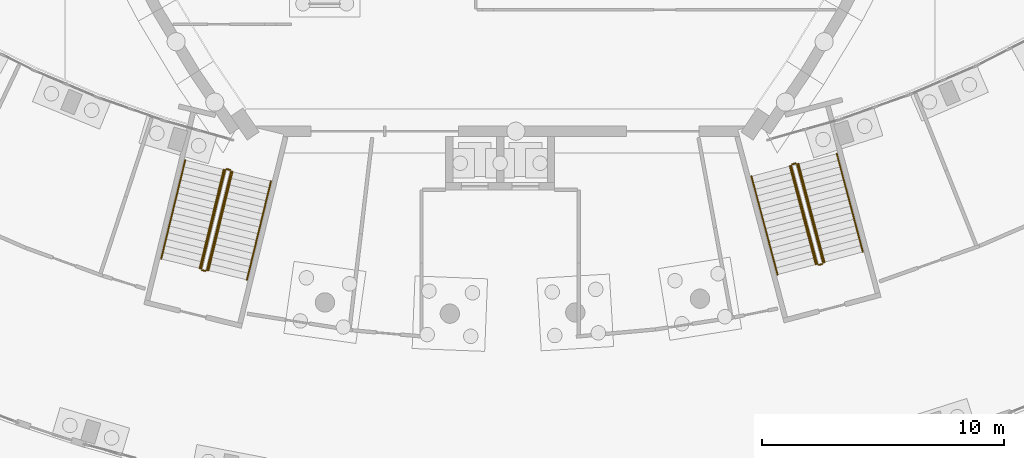
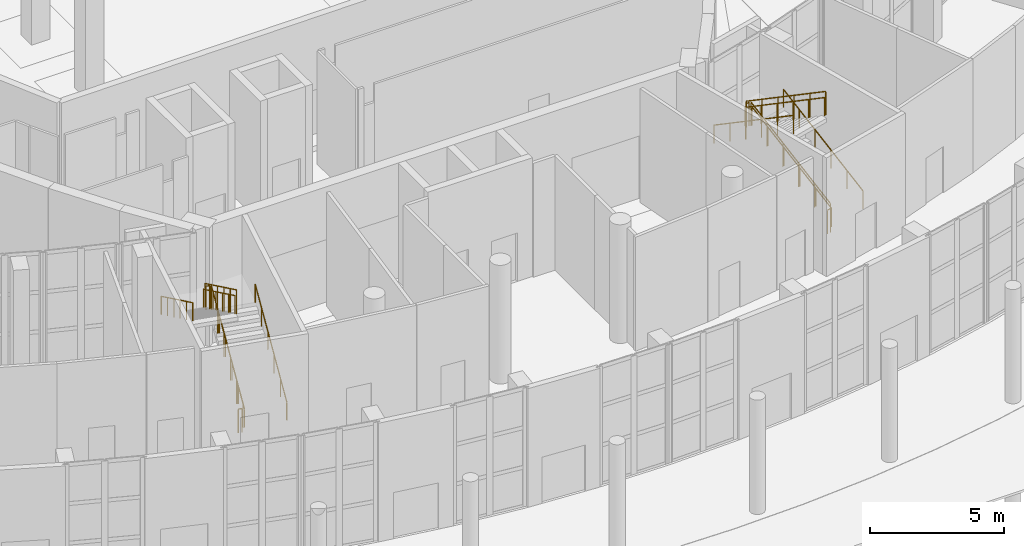
# One storey, part 73 of 82: 16 railings.
"""IFC4 building model written with IfcOpenShell, lengths in metres."""

from ifc_helpers import new_model, si_unit, direction, frame, origin, origin_2d, place, context, subcontext, project, spatial, circle, extrude, material, type_object, element, save


model = new_model("IFC4")

# Units and contexts
model_context = context("Model", 3, precision=1e-05, world=origin(), true_north=direction((0.0, 1.0)))
body_context = subcontext(model_context, "Body", "Model", "MODEL_VIEW")
ifc_project = project(units=[si_unit("LENGTHUNIT", "METRE"), si_unit("AREAUNIT", "SQUARE_METRE"), si_unit("VOLUMEUNIT", "CUBIC_METRE"), si_unit("PLANEANGLEUNIT", "RADIAN"), si_unit("MASSUNIT", "GRAM", prefix="KILO")], contexts=[model_context])

# Site, building, storey
site_placement = place(None, origin())
site = spatial("IfcSite", under=ifc_project, at=site_placement, CompositionType="ELEMENT")
building_placement = place(site_placement, origin())
building = spatial("IfcBuilding", under=site, at=building_placement, Name="Tide Square Theatres", CompositionType="ELEMENT")
storey_placement = place(building_placement, origin())
storey = spatial("IfcBuildingStorey", under=building, at=storey_placement, Name="L00", CompositionType="ELEMENT", Elevation=0.0)

# Railings
ifc_material_1 = material(Name="Painted steel", Category="steel")
railing_type_1 = type_object("IfcRailingType", Name="Steel guard 1100", PredefinedType="GUARDRAIL", material=ifc_material_1)
railing_1_placement = place(storey_placement, frame((71.88427734375, 17.84228515625, 0.168701171875)))
element("IfcRailing", 1, at=railing_1_placement, inside=storey, type_object=railing_type_1, Name="L00 F3 stair guard 1", PredefinedType="GUARDRAIL", context=body_context, shape_type="SweptSolid", body=[
    extrude(circle(Radius=0.02392578125, at=origin_2d()), frame((0.0, 0.0, 1.076171875), z_axis=(0.203121824045, 0.832052707173, 0.516168399926), x_axis=(-0.971471362387, 0.237156893349, 0.0)), (0.0, 0.0, 1.0), 4.90380859375),
    extrude(circle(Radius=0.02099609375, at=origin_2d()), origin(), (0.0, 0.0, 1.0), 1.052001953125),
    extrude(circle(Radius=0.02099609375, at=origin_2d()), frame((0.19921875, 0.816162109375, 0.50634765625)), (0.0, 0.0, 1.0), 1.052001953125),
    extrude(circle(Radius=0.02099609375, at=origin_2d()), frame((0.3984375, 1.632080078125, 1.012451171875)), (0.0, 0.0, 1.0), 1.052001953125),
    extrude(circle(Radius=0.02099609375, at=origin_2d()), frame((0.59765625, 2.4482421875, 1.518798828125)), (0.0, 0.0, 1.0), 1.052001953125),
    extrude(circle(Radius=0.02099609375, at=origin_2d()), frame((0.796875, 3.26416015625, 2.02490234375)), (0.0, 0.0, 1.0), 1.052001953125),
    extrude(circle(Radius=0.02099609375, at=origin_2d()), frame((0.99609375, 4.080322265625, 2.53125)), (0.0, 0.0, 1.0), 1.052001953125),
])
railing_2_placement = place(storey_placement, frame((72.843505859375, 21.98291015625, 2.699951171875)))
element("IfcRailing", 2, at=railing_2_placement, inside=storey, type_object=railing_type_1, Name="L00 F3 stair guard 2", PredefinedType="GUARDRAIL", context=body_context, shape_type="SweptSolid", body=[
    extrude(circle(Radius=0.02392578125, at=origin_2d()), frame((0.0, 0.0, 1.076171875), z_axis=(-0.971373980583, 0.237555445838, 0.0), x_axis=(-0.237555445838, -0.971373980583, 0.0)), (0.0, 0.0, 1.0), 0.150146484375),
    extrude(circle(Radius=0.02099609375, at=origin_2d()), origin(), (0.0, 0.0, 1.0), 1.052001953125),
    extrude(circle(Radius=0.02099609375, at=origin_2d()), frame((-0.145751953125, 0.03564453125, 0.0)), (0.0, 0.0, 1.0), 1.052001953125),
])
railing_3_placement = place(storey_placement, frame((72.637451171875, 21.98193359375, 2.86865234375)))
element("IfcRailing", 3, at=railing_3_placement, inside=storey, type_object=railing_type_1, Name="L00 F3 stair guard 3", PredefinedType="GUARDRAIL", context=body_context, shape_type="SweptSolid", body=[
    extrude(circle(Radius=0.02392578125, at=origin_2d()), frame((0.0, 0.0, 1.076171875), z_axis=(-0.203121824045, -0.832052707173, 0.516168399926), x_axis=(0.971471362387, -0.237156893349, 0.0)), (0.0, 0.0, 1.0), 4.90380859375),
    extrude(circle(Radius=0.02099609375, at=origin_2d()), origin(), (0.0, 0.0, 1.0), 1.052001953125),
    extrude(circle(Radius=0.02099609375, at=origin_2d()), frame((-0.19921875, -0.816162109375, 0.50634765625)), (0.0, 0.0, 1.0), 1.052001953125),
    extrude(circle(Radius=0.02099609375, at=origin_2d()), frame((-0.3984375, -1.632080078125, 1.012451171875)), (0.0, 0.0, 1.0), 1.052001953125),
    extrude(circle(Radius=0.02099609375, at=origin_2d()), frame((-0.59765625, -2.4482421875, 1.518798828125)), (0.0, 0.0, 1.0), 1.052001953125),
    extrude(circle(Radius=0.02099609375, at=origin_2d()), frame((-0.796875, -3.26416015625, 2.02490234375)), (0.0, 0.0, 1.0), 1.052001953125),
    extrude(circle(Radius=0.02099609375, at=origin_2d()), frame((-0.99609375, -4.080322265625, 2.53125)), (0.0, 0.0, 1.0), 1.052001953125),
])
railing_4_placement = place(storey_placement, frame((71.82373046875, 17.8056640625, 0.0)))
element("IfcRailing", 4, at=railing_4_placement, inside=storey, type_object=railing_type_1, Name="L00 F3 stair guard 4", PredefinedType="GUARDRAIL", context=body_context, shape_type="SweptSolid", body=[
    extrude(circle(Radius=0.02392578125, at=origin_2d()), frame((0.0, 0.0, 1.076171875), z_axis=(-0.971281941422, 0.237931482295, 0.0), x_axis=(-0.237931482295, -0.971281941422, 0.0)), (0.0, 0.0, 1.0), 0.14990234375),
    extrude(circle(Radius=0.02099609375, at=origin_2d()), origin(), (0.0, 0.0, 1.0), 1.052001953125),
    extrude(circle(Radius=0.02099609375, at=origin_2d()), frame((-0.1455078125, 0.03564453125, 0.0)), (0.0, 0.0, 1.0), 1.052001953125),
])
railing_5_placement = place(storey_placement, frame((97.346435546875, 18.15576171875, 0.168701171875)))
element("IfcRailing", 5, at=railing_5_placement, inside=storey, type_object=railing_type_1, Name="L00 F4 stair guard 1", PredefinedType="GUARDRAIL", context=body_context, shape_type="SweptSolid", body=[
    extrude(circle(Radius=0.02392578125, at=origin_2d()), frame((0.0, 0.0, 1.076171875), z_axis=(-0.219503144912, 0.827878837999, 0.51617341947), x_axis=(-0.966601534184, -0.256283971629, 0.0)), (0.0, 0.0, 1.0), 4.90380859375),
    extrude(circle(Radius=0.02099609375, at=origin_2d()), origin(), (0.0, 0.0, 1.0), 1.052001953125),
    extrude(circle(Radius=0.02099609375, at=origin_2d()), frame((-0.21533203125, 0.81201171875, 0.50634765625)), (0.0, 0.0, 1.0), 1.052001953125),
    extrude(circle(Radius=0.02099609375, at=origin_2d()), frame((-0.4306640625, 1.6240234375, 1.012451171875)), (0.0, 0.0, 1.0), 1.052001953125),
    extrude(circle(Radius=0.02099609375, at=origin_2d()), frame((-0.645751953125, 2.435791015625, 1.518798828125)), (0.0, 0.0, 1.0), 1.052001953125),
    extrude(circle(Radius=0.02099609375, at=origin_2d()), frame((-0.861083984375, 3.247802734375, 2.02490234375)), (0.0, 0.0, 1.0), 1.052001953125),
    extrude(circle(Radius=0.02099609375, at=origin_2d()), frame((-1.076416015625, 4.059814453125, 2.53125)), (0.0, 0.0, 1.0), 1.052001953125),
])
railing_6_placement = place(storey_placement, frame((96.208740234375, 22.2509765625, 2.699951171875)))
element("IfcRailing", 6, at=railing_6_placement, inside=storey, type_object=railing_type_1, Name="L00 F4 stair guard 2", PredefinedType="GUARDRAIL", context=body_context, shape_type="SweptSolid", body=[
    extrude(circle(Radius=0.02392578125, at=origin_2d()), frame((0.0, 0.0, 1.076171875), z_axis=(-0.966693366218, -0.255937366773, 0.0), x_axis=(0.255937366773, -0.966693366218, 0.0)), (0.0, 0.0, 1.0), 0.149658203125),
    extrude(circle(Radius=0.02099609375, at=origin_2d()), origin(), (0.0, 0.0, 1.0), 1.052001953125),
    extrude(circle(Radius=0.02099609375, at=origin_2d()), frame((-0.144775390625, -0.038330078125, 0.0)), (0.0, 0.0, 1.0), 1.052001953125),
])
railing_7_placement = place(storey_placement, frame((96.0283203125, 22.1513671875, 2.86865234375)))
element("IfcRailing", 7, at=railing_7_placement, inside=storey, type_object=railing_type_1, Name="L00 F4 stair guard 3", PredefinedType="GUARDRAIL", context=body_context, shape_type="SweptSolid", body=[
    extrude(circle(Radius=0.02392578125, at=origin_2d()), frame((0.0, 0.0, 1.076171875), z_axis=(0.219512192274, -0.827863173764, 0.516194694827), x_axis=(0.966597715965, 0.256298372004, 0.0)), (0.0, 0.0, 1.0), 4.903564453125),
    extrude(circle(Radius=0.02099609375, at=origin_2d()), origin(), (0.0, 0.0, 1.0), 1.052001953125),
    extrude(circle(Radius=0.02099609375, at=origin_2d()), frame((0.21533203125, -0.81201171875, 0.50634765625)), (0.0, 0.0, 1.0), 1.052001953125),
    extrude(circle(Radius=0.02099609375, at=origin_2d()), frame((0.4306640625, -1.623779296875, 1.012451171875)), (0.0, 0.0, 1.0), 1.052001953125),
    extrude(circle(Radius=0.02099609375, at=origin_2d()), frame((0.645751953125, -2.435791015625, 1.518798828125)), (0.0, 0.0, 1.0), 1.052001953125),
    extrude(circle(Radius=0.02099609375, at=origin_2d()), frame((0.861083984375, -3.24755859375, 2.02490234375)), (0.0, 0.0, 1.0), 1.052001953125),
    extrude(circle(Radius=0.02099609375, at=origin_2d()), frame((1.076416015625, -4.0595703125, 2.53125)), (0.0, 0.0, 1.0), 1.052001953125),
])
railing_8_placement = place(storey_placement, frame((97.31103515625, 18.0947265625, 0.0)))
element("IfcRailing", 8, at=railing_8_placement, inside=storey, type_object=railing_type_1, Name="L00 F4 stair guard 4", PredefinedType="GUARDRAIL", context=body_context, shape_type="SweptSolid", body=[
    extrude(circle(Radius=0.02392578125, at=origin_2d()), frame((0.0, 0.0, 1.076171875), z_axis=(-0.966396766566, -0.257055032184, 0.0), x_axis=(0.257055032184, -0.966396766566, 0.0)), (0.0, 0.0, 1.0), 0.150146484375),
    extrude(circle(Radius=0.02099609375, at=origin_2d()), origin(), (0.0, 0.0, 1.0), 1.052001953125),
    extrude(circle(Radius=0.02099609375, at=origin_2d()), frame((-0.14501953125, -0.03857421875, 0.0)), (0.0, 0.0, 1.0), 1.052001953125),
])
ifc_material_2 = material(Name="Painted steel", Category="steel")
railing_type_2 = type_object("IfcRailingType", Name="Steel handrail 850", PredefinedType="HANDRAIL", material=ifc_material_2)
railing_9_placement = place(storey_placement, frame((73.53564453125, 17.439208984375, 0.168701171875)))
element("IfcRailing", 9, at=railing_9_placement, inside=storey, type_object=railing_type_2, Name="L00 F3 stair handrail 1", PredefinedType="HANDRAIL", context=body_context, shape_type="SweptSolid", body=[
    extrude(circle(Radius=0.02392578125, at=origin_2d()), frame((0.0, 0.0, 0.826171875), z_axis=(0.203121824045, 0.832052707173, 0.516168399926), x_axis=(-0.971471362387, 0.237156893349, 0.0)), (0.0, 0.0, 1.0), 4.90380859375),
    extrude(circle(Radius=0.02099609375, at=origin_2d()), origin(), (0.0, 0.0, 1.0), 0.802001953125),
    extrude(circle(Radius=0.02099609375, at=origin_2d()), frame((0.19921875, 0.816162109375, 0.50634765625)), (0.0, 0.0, 1.0), 0.802001953125),
    extrude(circle(Radius=0.02099609375, at=origin_2d()), frame((0.3984375, 1.632080078125, 1.012451171875)), (0.0, 0.0, 1.0), 0.802001953125),
    extrude(circle(Radius=0.02099609375, at=origin_2d()), frame((0.59765625, 2.4482421875, 1.518798828125)), (0.0, 0.0, 1.0), 0.802001953125),
    extrude(circle(Radius=0.02099609375, at=origin_2d()), frame((0.796875, 3.26416015625, 2.02490234375)), (0.0, 0.0, 1.0), 0.802001953125),
    extrude(circle(Radius=0.02099609375, at=origin_2d()), frame((0.99609375, 4.080322265625, 2.53125)), (0.0, 0.0, 1.0), 0.802001953125),
])
railing_10_placement = place(storey_placement, frame((71.942626953125, 17.828125, 0.168701171875)))
element("IfcRailing", 10, at=railing_10_placement, inside=storey, type_object=railing_type_2, Name="L00 F3 stair handrail 2", PredefinedType="HANDRAIL", context=body_context, shape_type="SweptSolid", body=[
    extrude(circle(Radius=0.02392578125, at=origin_2d()), frame((0.0, 0.0, 0.826171875), z_axis=(0.203074092604, 0.832061120296, 0.516173619052), x_axis=(-0.971484752896, 0.237102034767, 0.0)), (0.0, 0.0, 1.0), 4.90380859375),
    extrude(circle(Radius=0.02099609375, at=origin_2d()), origin(), (0.0, 0.0, 1.0), 0.802001953125),
    extrude(circle(Radius=0.02099609375, at=origin_2d()), frame((0.19921875, 0.816162109375, 0.50634765625)), (0.0, 0.0, 1.0), 0.802001953125),
    extrude(circle(Radius=0.02099609375, at=origin_2d()), frame((0.3984375, 1.632080078125, 1.012451171875)), (0.0, 0.0, 1.0), 0.802001953125),
    extrude(circle(Radius=0.02099609375, at=origin_2d()), frame((0.597412109375, 2.4482421875, 1.518798828125)), (0.0, 0.0, 1.0), 0.802001953125),
    extrude(circle(Radius=0.02099609375, at=origin_2d()), frame((0.796630859375, 3.26416015625, 2.02490234375)), (0.0, 0.0, 1.0), 0.802001953125),
    extrude(circle(Radius=0.02099609375, at=origin_2d()), frame((0.995849609375, 4.080322265625, 2.53125)), (0.0, 0.0, 1.0), 0.802001953125),
])
railing_11_placement = place(storey_placement, frame((70.98583984375, 22.385009765625, 2.86865234375)))
element("IfcRailing", 11, at=railing_11_placement, inside=storey, type_object=railing_type_2, Name="L00 F3 stair handrail 3", PredefinedType="HANDRAIL", context=body_context, shape_type="SweptSolid", body=[
    extrude(circle(Radius=0.02392578125, at=origin_2d()), frame((0.0, 0.0, 0.826171875), z_axis=(-0.203082505094, -0.832045801698, 0.516195001915), x_axis=(0.971481484844, -0.237115424646, 0.0)), (0.0, 0.0, 1.0), 4.903564453125),
    extrude(circle(Radius=0.02099609375, at=origin_2d()), origin(), (0.0, 0.0, 1.0), 0.802001953125),
    extrude(circle(Radius=0.02099609375, at=origin_2d()), frame((-0.19921875, -0.81591796875, 0.50634765625)), (0.0, 0.0, 1.0), 0.802001953125),
    extrude(circle(Radius=0.02099609375, at=origin_2d()), frame((-0.3984375, -1.632080078125, 1.012451171875)), (0.0, 0.0, 1.0), 0.802001953125),
    extrude(circle(Radius=0.02099609375, at=origin_2d()), frame((-0.597412109375, -2.447998046875, 1.518798828125)), (0.0, 0.0, 1.0), 0.802001953125),
    extrude(circle(Radius=0.02099609375, at=origin_2d()), frame((-0.796630859375, -3.26416015625, 2.02490234375)), (0.0, 0.0, 1.0), 0.802001953125),
    extrude(circle(Radius=0.02099609375, at=origin_2d()), frame((-0.995849609375, -4.080078125, 2.53125)), (0.0, 0.0, 1.0), 0.802001953125),
])
railing_12_placement = place(storey_placement, frame((72.5791015625, 21.99609375, 2.86865234375)))
element("IfcRailing", 12, at=railing_12_placement, inside=storey, type_object=railing_type_2, Name="L00 F3 stair handrail 4", PredefinedType="HANDRAIL", context=body_context, shape_type="SweptSolid", body=[
    extrude(circle(Radius=0.02392578125, at=origin_2d()), frame((0.0, 0.0, 0.826171875), z_axis=(-0.203130238342, -0.832037388033, 0.51618978214), x_axis=(0.971468092867, -0.237170285956, 0.0)), (0.0, 0.0, 1.0), 4.90380859375),
    extrude(circle(Radius=0.02099609375, at=origin_2d()), origin(), (0.0, 0.0, 1.0), 0.802001953125),
    extrude(circle(Radius=0.02099609375, at=origin_2d()), frame((-0.19921875, -0.81591796875, 0.50634765625)), (0.0, 0.0, 1.0), 0.802001953125),
    extrude(circle(Radius=0.02099609375, at=origin_2d()), frame((-0.3984375, -1.632080078125, 1.012451171875)), (0.0, 0.0, 1.0), 0.802001953125),
    extrude(circle(Radius=0.02099609375, at=origin_2d()), frame((-0.59765625, -2.447998046875, 1.518798828125)), (0.0, 0.0, 1.0), 0.802001953125),
    extrude(circle(Radius=0.02099609375, at=origin_2d()), frame((-0.796875, -3.26416015625, 2.02490234375)), (0.0, 0.0, 1.0), 0.802001953125),
    extrude(circle(Radius=0.02099609375, at=origin_2d()), frame((-0.99609375, -4.080078125, 2.53125)), (0.0, 0.0, 1.0), 0.802001953125),
])
railing_13_placement = place(storey_placement, frame((98.98974609375, 18.591552734375, 0.168701171875)))
element("IfcRailing", 13, at=railing_13_placement, inside=storey, type_object=railing_type_2, Name="L00 F4 stair handrail 1", PredefinedType="HANDRAIL", context=body_context, shape_type="SweptSolid", body=[
    extrude(circle(Radius=0.02392578125, at=origin_2d()), frame((0.0, 0.0, 0.826171875), z_axis=(-0.219559579763, 0.827854125237, 0.51618905283), x_axis=(-0.966583313497, -0.256352682976, 0.0)), (0.0, 0.0, 1.0), 4.90380859375),
    extrude(circle(Radius=0.02099609375, at=origin_2d()), origin(), (0.0, 0.0, 1.0), 0.802001953125),
    extrude(circle(Radius=0.02099609375, at=origin_2d()), frame((-0.21533203125, 0.81201171875, 0.50634765625)), (0.0, 0.0, 1.0), 0.802001953125),
    extrude(circle(Radius=0.02099609375, at=origin_2d()), frame((-0.4306640625, 1.623779296875, 1.012451171875)), (0.0, 0.0, 1.0), 0.802001953125),
    extrude(circle(Radius=0.02099609375, at=origin_2d()), frame((-0.64599609375, 2.435791015625, 1.518798828125)), (0.0, 0.0, 1.0), 0.802001953125),
    extrude(circle(Radius=0.02099609375, at=origin_2d()), frame((-0.861328125, 3.24755859375, 2.02490234375)), (0.0, 0.0, 1.0), 0.802001953125),
    extrude(circle(Radius=0.02099609375, at=origin_2d()), frame((-1.07666015625, 4.0595703125, 2.53125)), (0.0, 0.0, 1.0), 0.802001953125),
])
railing_14_placement = place(storey_placement, frame((97.404541015625, 18.171142578125, 0.168701171875)))
element("IfcRailing", 14, at=railing_14_placement, inside=storey, type_object=railing_type_2, Name="L00 F4 stair handrail 2", PredefinedType="HANDRAIL", context=body_context, shape_type="SweptSolid", body=[
    extrude(circle(Radius=0.02392578125, at=origin_2d()), frame((0.0, 0.0, 0.826171875), z_axis=(-0.219550530646, 0.827869790046, 0.516167778171), x_axis=(-0.966587133278, -0.256338279978, 0.0)), (0.0, 0.0, 1.0), 4.90380859375),
    extrude(circle(Radius=0.02099609375, at=origin_2d()), origin(), (0.0, 0.0, 1.0), 0.802001953125),
    extrude(circle(Radius=0.02099609375, at=origin_2d()), frame((-0.21533203125, 0.81201171875, 0.50634765625)), (0.0, 0.0, 1.0), 0.802001953125),
    extrude(circle(Radius=0.02099609375, at=origin_2d()), frame((-0.4306640625, 1.6240234375, 1.012451171875)), (0.0, 0.0, 1.0), 0.802001953125),
    extrude(circle(Radius=0.02099609375, at=origin_2d()), frame((-0.64599609375, 2.435791015625, 1.518798828125)), (0.0, 0.0, 1.0), 0.802001953125),
    extrude(circle(Radius=0.02099609375, at=origin_2d()), frame((-0.861328125, 3.247802734375, 2.02490234375)), (0.0, 0.0, 1.0), 0.802001953125),
    extrude(circle(Radius=0.02099609375, at=origin_2d()), frame((-1.07666015625, 4.059814453125, 2.53125)), (0.0, 0.0, 1.0), 0.802001953125),
])
railing_15_placement = place(storey_placement, frame((94.385009765625, 21.715576171875, 2.86865234375)))
element("IfcRailing", 15, at=railing_15_placement, inside=storey, type_object=railing_type_2, Name="L00 F4 stair handrail 3", PredefinedType="HANDRAIL", context=body_context, shape_type="SweptSolid", body=[
    extrude(circle(Radius=0.02392578125, at=origin_2d()), frame((0.0, 0.0, 0.826171875), z_axis=(0.219559579763, -0.827854125237, 0.51618905283), x_axis=(0.966583313497, 0.256352682976, 0.0)), (0.0, 0.0, 1.0), 4.90380859375),
    extrude(circle(Radius=0.02099609375, at=origin_2d()), origin(), (0.0, 0.0, 1.0), 0.802001953125),
    extrude(circle(Radius=0.02099609375, at=origin_2d()), frame((0.21533203125, -0.81201171875, 0.50634765625)), (0.0, 0.0, 1.0), 0.802001953125),
    extrude(circle(Radius=0.02099609375, at=origin_2d()), frame((0.4306640625, -1.623779296875, 1.012451171875)), (0.0, 0.0, 1.0), 0.802001953125),
    extrude(circle(Radius=0.02099609375, at=origin_2d()), frame((0.64599609375, -2.435791015625, 1.518798828125)), (0.0, 0.0, 1.0), 0.802001953125),
    extrude(circle(Radius=0.02099609375, at=origin_2d()), frame((0.861328125, -3.24755859375, 2.02490234375)), (0.0, 0.0, 1.0), 0.802001953125),
    extrude(circle(Radius=0.02099609375, at=origin_2d()), frame((1.07666015625, -4.0595703125, 2.53125)), (0.0, 0.0, 1.0), 0.802001953125),
])
railing_16_placement = place(storey_placement, frame((95.970458984375, 22.135986328125, 2.86865234375)))
element("IfcRailing", 16, at=railing_16_placement, inside=storey, type_object=railing_type_2, Name="L00 F4 stair handrail 4", PredefinedType="HANDRAIL", context=body_context, shape_type="SweptSolid", body=[
    extrude(circle(Radius=0.02392578125, at=origin_2d()), frame((0.0, 0.0, 0.826171875), z_axis=(0.219512192274, -0.827863173764, 0.516194694827), x_axis=(0.966597715965, 0.256298372004, 0.0)), (0.0, 0.0, 1.0), 4.903564453125),
    extrude(circle(Radius=0.02099609375, at=origin_2d()), origin(), (0.0, 0.0, 1.0), 0.802001953125),
    extrude(circle(Radius=0.02099609375, at=origin_2d()), frame((0.21533203125, -0.81201171875, 0.50634765625)), (0.0, 0.0, 1.0), 0.802001953125),
    extrude(circle(Radius=0.02099609375, at=origin_2d()), frame((0.4306640625, -1.623779296875, 1.012451171875)), (0.0, 0.0, 1.0), 0.802001953125),
    extrude(circle(Radius=0.02099609375, at=origin_2d()), frame((0.645751953125, -2.435791015625, 1.518798828125)), (0.0, 0.0, 1.0), 0.802001953125),
    extrude(circle(Radius=0.02099609375, at=origin_2d()), frame((0.861083984375, -3.24755859375, 2.02490234375)), (0.0, 0.0, 1.0), 0.802001953125),
    extrude(circle(Radius=0.02099609375, at=origin_2d()), frame((1.076416015625, -4.0595703125, 2.53125)), (0.0, 0.0, 1.0), 0.802001953125),
])

save(model, "model.ifc")
